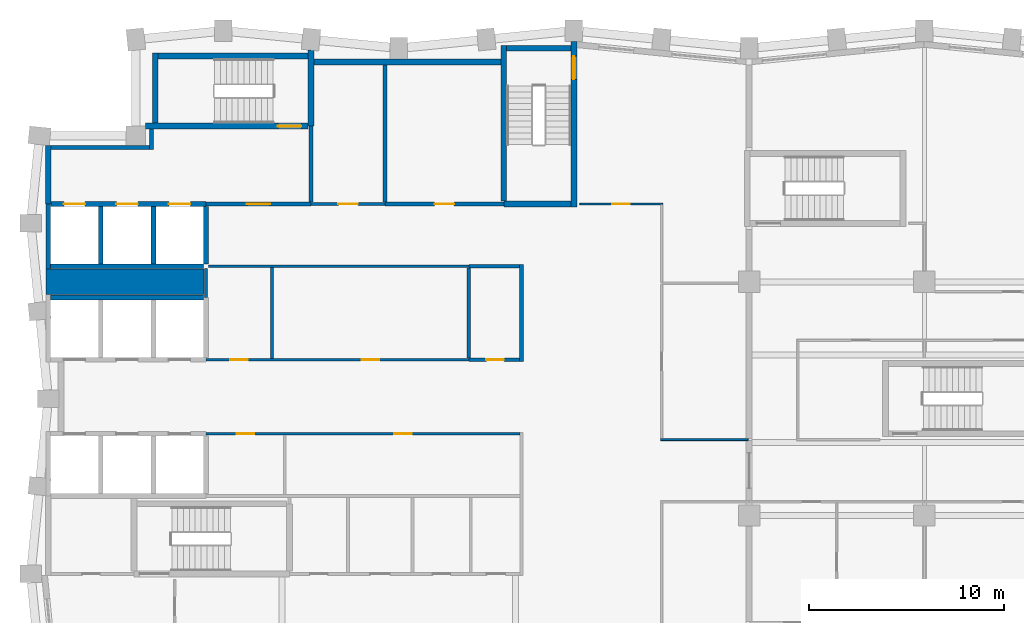
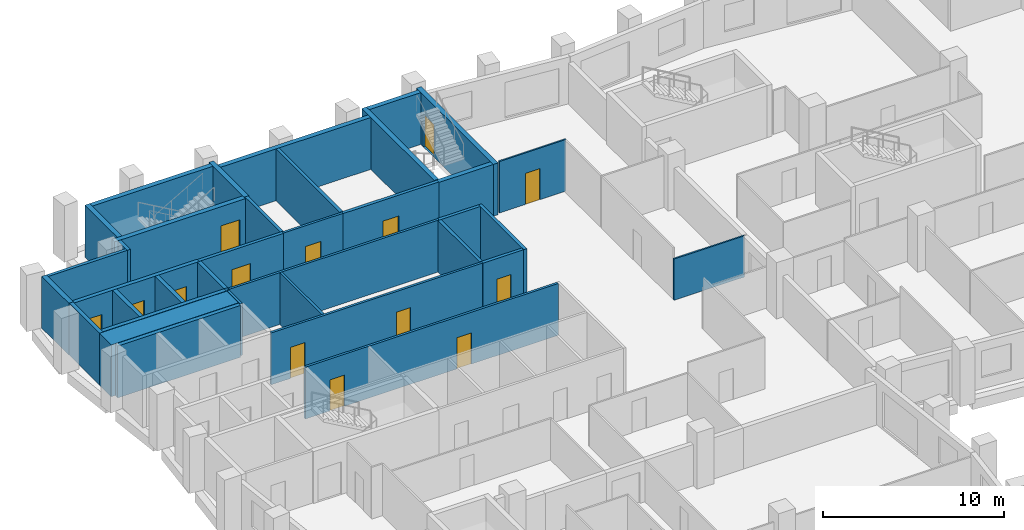
# One storey, part 6 of 10: 36 walls, 14 doors, 14 openings.
"""IFC4 building model written with IfcOpenShell, lengths in metres."""

from ifc_helpers import new_model, si_unit, direction, frame, frame_2d, origin, place, context, subcontext, project, spatial, rectangle, extrude, material, layer, layer_set, type_object, element, fill, save


model = new_model("IFC4")

# Units and contexts
model_context = context("Model", 3, precision=1e-05, world=origin(), true_north=direction((0.0, 1.0)))
body_context = subcontext(model_context, "Body", "Model", "MODEL_VIEW")
ifc_project = project(units=[si_unit("LENGTHUNIT", "METRE"), si_unit("AREAUNIT", "SQUARE_METRE"), si_unit("VOLUMEUNIT", "CUBIC_METRE"), si_unit("PLANEANGLEUNIT", "RADIAN"), si_unit("MASSUNIT", "GRAM", prefix="KILO")], contexts=[model_context])

# Site, building, storey
site_placement = place(None, origin())
site = spatial("IfcSite", under=ifc_project, at=site_placement, CompositionType="ELEMENT")
building_placement = place(site_placement, origin())
building = spatial("IfcBuilding", under=site, at=building_placement, Name="Brondeck Convention Tower", CompositionType="ELEMENT")
storey_placement = place(building_placement, frame((0.0, 0.0, 166.199951171875)))
storey = spatial("IfcBuildingStorey", under=building, at=storey_placement, Name="L40", CompositionType="ELEMENT", Elevation=166.199951171875)

# Walls
ifc_material_1 = material(Name="Concrete C70/85", Category="concrete")
ifc_layer_1 = layer(ifc_material_1, 0.199951171875)
ifc_layer_set_1 = layer_set([ifc_layer_1], Name="Core beam-seat wall 200 Concrete C70/85")
wall_type_1 = type_object("IfcWallType", Name="Core beam-seat wall 200 Concrete C70/85", PredefinedType="SHEAR", material=ifc_layer_set_1)
wall_1_placement = place(storey_placement, frame((24.300048828125, 46.89990234375, 0.0), z_axis=(0.0, 0.0, 1.0), x_axis=(0.0, 1.0, 0.0)))
element("IfcWall", 1, at=wall_1_placement, inside=storey, type_object=wall_type_1, Name="L40 core wall", PredefinedType="SHEAR", context=body_context, shape_type="SweptSolid", body=[
    extrude(rectangle(XDim=5.0, YDim=0.199951171875, at=frame_2d((2.5, 0.0))), origin(), (0.0, 0.0, 1.0), 3.5),
])
ifc_layer_2 = layer(ifc_material_1, 0.300048828125)
ifc_layer_set_2 = layer_set([ifc_layer_2], Name="Core outer wall 300 Concrete C70/85")
wall_type_2 = type_object("IfcWallType", Name="Core outer wall 300 Concrete C70/85", PredefinedType="SHEAR", material=ifc_layer_set_2)
wall_2_placement = place(storey_placement, frame((13.64990234375, 62.300048828125, 0.0), z_axis=(0.0, 0.0, 1.0), x_axis=(1.0, 0.0, 0.0)))
element("IfcWall", 2, at=wall_2_placement, inside=storey, type_object=wall_type_2, Name="L40 core wall", PredefinedType="SHEAR", context=body_context, shape_type="SweptSolid", body=[
    extrude(rectangle(XDim=9.60009765625, YDim=0.300048828125, at=frame_2d((4.800048828125, 0.0))), origin(), (0.0, 0.0, 1.0), 3.5),
])
wall_3_placement = place(storey_placement, frame((0.0, 55.0, 0.0), z_axis=(0.0, 0.0, 1.0), x_axis=(0.0, 1.0, 0.0)))
element("IfcWall", 3, at=wall_3_placement, inside=storey, type_object=wall_type_2, Name="L40 core wall", PredefinedType="SHEAR", context=body_context, shape_type="SweptSolid", body=[
    extrude(rectangle(XDim=3.0, YDim=0.300048828125, at=frame_2d((1.5, 0.0))), origin(), (0.0, 0.0, 1.0), 3.5),
])

# Wall, openings, doors
ifc_material_2 = material(Name="Fire-rated gypsum board partition")
ifc_layer_3 = layer(ifc_material_2, 0.14990234375)
ifc_layer_set_3 = layer_set([ifc_layer_3], Name="Core partition 150 EI 60")
wall_type_3 = type_object("IfcWallType", Name="Core partition 150 EI 60", PredefinedType="PARTITIONING", material=ifc_layer_set_3)
wall_4_placement = place(storey_placement, frame((8.10009765625, 43.199951171875, 0.0), z_axis=(0.0, 0.0, 1.0), x_axis=(1.0, 0.0, 0.0)))
wall_4 = element("IfcWall", 4, at=wall_4_placement, inside=storey, type_object=wall_type_3, Name="L40 core wall", PredefinedType="PARTITIONING", context=body_context, shape_type="SweptSolid", body=[
    extrude(rectangle(XDim=16.125, YDim=0.14990234375, at=frame_2d((8.0625, 0.0))), origin(), (0.0, 0.0, 1.0), 3.5),
])
opening_1_placement = place(wall_4_placement, frame((1.574951171875, 0.0, 0.0)))
opening_1 = element("IfcOpeningElement", 5, at=opening_1_placement, cuts=wall_4, Name="Opening C23-10", PredefinedType="OPENING", context=body_context, shape_type="SweptSolid", body=[
    extrude(rectangle(XDim=0.89990234375, YDim=2.10009765625, at=frame_2d((0.449951171875, 1.050048828125))), frame((0.0, 0.0849609375, 0.0), z_axis=(0.0, -1.0, 0.0), x_axis=(1.0, 0.0, 0.0)), (0.0, 0.0, 1.0), 0.169921875),
])
opening_2_placement = place(wall_4_placement, frame((9.675048828125, 0.0, 0.0)))
opening_2 = element("IfcOpeningElement", 6, at=opening_2_placement, cuts=wall_4, Name="Opening C23-11", PredefinedType="OPENING", context=body_context, shape_type="SweptSolid", body=[
    extrude(rectangle(XDim=0.89990234375, YDim=2.10009765625, at=frame_2d((0.449951171875, 1.050048828125))), frame((0.0, 0.0849609375, 0.0), z_axis=(0.0, -1.0, 0.0), x_axis=(1.0, 0.0, 0.0)), (0.0, 0.0, 1.0), 0.169921875),
])
ifc_material_3 = material(Name="Steel fire door", Category="steel")
door_type_1 = type_object("IfcDoorType", Name="Room door 900x2100 EI 60", OperationType="NOTDEFINED", PredefinedType="DOOR", material=ifc_material_3)
door_1_placement = place(opening_1_placement, origin())
door_1 = element("IfcDoor", 7, at=door_1_placement, inside=storey, type_object=door_type_1, Name="L40 Room door FZ-S-8.1-1", OperationType="SINGLE_SWING_RIGHT", OverallHeight=2.10009765625, OverallWidth=0.89990234375, PredefinedType="DOOR", context=body_context, shape_type="SweptSolid", body=[
    extrude(rectangle(XDim=0.89990234375, YDim=2.10009765625, at=frame_2d((0.449951171875, 1.050048828125))), frame((0.0, 0.02490234375, 0.0), z_axis=(0.0, -1.0, 0.0), x_axis=(1.0, 0.0, 0.0)), (0.0, 0.0, 1.0), 0.050048828125),
])
fill(opening_1, door_1)
door_2_placement = place(opening_2_placement, origin())
door_2 = element("IfcDoor", 8, at=door_2_placement, inside=storey, type_object=door_type_1, Name="L40 Room door FZ-S-8.1-2", OperationType="SINGLE_SWING_LEFT", OverallHeight=2.10009765625, OverallWidth=0.89990234375, PredefinedType="DOOR", context=body_context, shape_type="SweptSolid", body=[
    extrude(rectangle(XDim=0.89990234375, YDim=2.10009765625, at=frame_2d((0.449951171875, 1.050048828125))), frame((0.0, 0.02490234375, 0.0), z_axis=(0.0, -1.0, 0.0), x_axis=(1.0, 0.0, 0.0)), (0.0, 0.0, 1.0), 0.050048828125),
])
fill(opening_2, door_2)

wall_5_placement = place(storey_placement, frame((8.10009765625, 47.0, 0.0), z_axis=(0.0, 0.0, 1.0), x_axis=(1.0, 0.0, 0.0)))
wall_5 = element("IfcWall", 9, at=wall_5_placement, inside=storey, type_object=wall_type_3, Name="L40 core wall", PredefinedType="PARTITIONING", context=body_context, shape_type="SweptSolid", body=[
    extrude(rectangle(XDim=13.5, YDim=0.14990234375, at=frame_2d((6.75, 0.0))), origin(), (0.0, 0.0, 1.0), 3.5),
])
opening_3_placement = place(wall_5_placement, frame((1.25, 0.0, 0.0)))
opening_3 = element("IfcOpeningElement", 10, at=opening_3_placement, cuts=wall_5, Name="Opening C23-08", PredefinedType="OPENING", context=body_context, shape_type="SweptSolid", body=[
    extrude(rectangle(XDim=0.89990234375, YDim=2.10009765625, at=frame_2d((0.449951171875, 1.050048828125))), frame((0.0, 0.0849609375, 0.0), z_axis=(0.0, -1.0, 0.0), x_axis=(1.0, 0.0, 0.0)), (0.0, 0.0, 1.0), 0.169921875),
])
opening_4_placement = place(wall_5_placement, frame((8.0, 0.0, 0.0)))
opening_4 = element("IfcOpeningElement", 11, at=opening_4_placement, cuts=wall_5, Name="Opening C23-09", PredefinedType="OPENING", context=body_context, shape_type="SweptSolid", body=[
    extrude(rectangle(XDim=0.89990234375, YDim=2.10009765625, at=frame_2d((0.449951171875, 1.050048828125))), frame((0.0, 0.0849609375, 0.0), z_axis=(0.0, -1.0, 0.0), x_axis=(1.0, 0.0, 0.0)), (0.0, 0.0, 1.0), 0.169921875),
])
door_3_placement = place(opening_3_placement, origin())
door_3 = element("IfcDoor", 12, at=door_3_placement, inside=storey, type_object=door_type_1, Name="L40 Room door FZ-N-8.1-1", OperationType="SINGLE_SWING_LEFT", OverallHeight=2.10009765625, OverallWidth=0.89990234375, PredefinedType="DOOR", context=body_context, shape_type="SweptSolid", body=[
    extrude(rectangle(XDim=0.89990234375, YDim=2.10009765625, at=frame_2d((0.449951171875, 1.050048828125))), frame((0.0, 0.02490234375, 0.0), z_axis=(0.0, -1.0, 0.0), x_axis=(1.0, 0.0, 0.0)), (0.0, 0.0, 1.0), 0.050048828125),
])
fill(opening_3, door_3)
door_4_placement = place(opening_4_placement, origin())
door_4 = element("IfcDoor", 13, at=door_4_placement, inside=storey, type_object=door_type_1, Name="L40 Room door FZ-N-8.1-2", OperationType="SINGLE_SWING_RIGHT", OverallHeight=2.10009765625, OverallWidth=0.89990234375, PredefinedType="DOOR", context=body_context, shape_type="SweptSolid", body=[
    extrude(rectangle(XDim=0.89990234375, YDim=2.10009765625, at=frame_2d((0.449951171875, 1.050048828125))), frame((0.0, 0.02490234375, 0.0), z_axis=(0.0, -1.0, 0.0), x_axis=(1.0, 0.0, 0.0)), (0.0, 0.0, 1.0), 0.050048828125),
])
fill(opening_4, door_4)

# Wall
wall_6_placement = place(storey_placement, frame((8.22509765625, 51.800048828125, 0.0), z_axis=(0.0, 0.0, 1.0), x_axis=(1.0, 0.0, 0.0)))
element("IfcWall", 14, at=wall_6_placement, inside=storey, type_object=wall_type_3, Name="L40 core wall", PredefinedType="PARTITIONING", context=body_context, shape_type="SweptSolid", body=[
    extrude(rectangle(XDim=13.375, YDim=0.14990234375, at=frame_2d((6.6875, 0.0))), origin(), (0.0, 0.0, 1.0), 3.5),
])

# Wall, opening, door
wall_7_placement = place(storey_placement, frame((13.5, 55.0, 0.0), z_axis=(0.0, 0.0, 1.0), x_axis=(1.0, 0.0, 0.0)))
wall_7 = element("IfcWall", 15, at=wall_7_placement, inside=storey, type_object=wall_type_3, Name="L40 core wall", PredefinedType="PARTITIONING", context=body_context, shape_type="SweptSolid", body=[
    extrude(rectangle(XDim=3.800048828125, YDim=0.14990234375, at=frame_2d((1.89990234375, 0.0))), origin(), (0.0, 0.0, 1.0), 3.5),
])
opening_5_placement = place(wall_7_placement, frame((1.39990234375, 0.0, 0.0)))
opening_5 = element("IfcOpeningElement", 16, at=opening_5_placement, cuts=wall_7, Name="Opening C23-12", PredefinedType="OPENING", context=body_context, shape_type="SweptSolid", body=[
    extrude(rectangle(XDim=1.0, YDim=2.10009765625, at=frame_2d((0.5, 1.050048828125))), frame((0.0, 0.0849609375, 0.0), z_axis=(0.0, -1.0, 0.0), x_axis=(1.0, 0.0, 0.0)), (0.0, 0.0, 1.0), 0.169921875),
])
door_type_2 = type_object("IfcDoorType", Name="Room door 1000x2100 EI 60", OperationType="NOTDEFINED", PredefinedType="DOOR", material=ifc_material_3)
door_5_placement = place(opening_5_placement, origin())
door_5 = element("IfcDoor", 17, at=door_5_placement, inside=storey, type_object=door_type_2, Name="L40 Room door NE-1", OperationType="SINGLE_SWING_LEFT", OverallHeight=2.10009765625, OverallWidth=1.0, PredefinedType="DOOR", context=body_context, shape_type="SweptSolid", body=[
    extrude(rectangle(XDim=1.0, YDim=2.10009765625, at=frame_2d((0.5, 1.050048828125))), frame((0.0, 0.02490234375, 0.0), z_axis=(0.0, -1.0, 0.0), x_axis=(1.0, 0.0, 0.0)), (0.0, 0.0, 1.0), 0.050048828125),
])
fill(opening_5, door_5)

# Walls
wall_8_placement = place(storey_placement, frame((8.10009765625, 50.199951171875, 0.0), z_axis=(0.0, 0.0, 1.0), x_axis=(0.0, 1.0, 0.0)))
element("IfcWall", 18, at=wall_8_placement, inside=storey, type_object=wall_type_3, Name="L40 core wall", PredefinedType="PARTITIONING", context=body_context, shape_type="SweptSolid", body=[
    extrude(rectangle(XDim=1.47509765625, YDim=0.14990234375, at=frame_2d((0.737548828125, 0.0))), origin(), (0.0, 0.0, 1.0), 3.5),
])
wall_9_placement = place(storey_placement, frame((11.5, 47.074951171875, 0.0), z_axis=(0.0, 0.0, 1.0), x_axis=(0.0, 1.0, 0.0)))
element("IfcWall", 19, at=wall_9_placement, inside=storey, type_object=wall_type_3, Name="L40 core wall", PredefinedType="PARTITIONING", context=body_context, shape_type="SweptSolid", body=[
    extrude(rectangle(XDim=4.650146484375, YDim=0.14990234375, at=frame_2d((2.3251953125, 0.0))), origin(), (0.0, 0.0, 1.0), 3.5),
])
ifc_layer_4 = layer(ifc_material_1, 1.300048828125)
ifc_layer_set_4 = layer_set([ifc_layer_4], Name="Core shear wall 1300 Concrete C70/85")
wall_type_4 = type_object("IfcWallType", Name="Core shear wall 1300 Concrete C70/85", PredefinedType="SHEAR", material=ifc_layer_set_4)
wall_10_placement = place(storey_placement, frame((-0.125, 51.0, 0.0), z_axis=(0.0, 0.0, 1.0), x_axis=(1.0, 0.0, 0.0)))
element("IfcWall", 20, at=wall_10_placement, inside=storey, type_object=wall_type_4, Name="L40 core wall", PredefinedType="SHEAR", context=body_context, shape_type="SweptSolid", body=[
    extrude(rectangle(XDim=8.125, YDim=1.300048828125, at=frame_2d((4.0625, 0.0))), origin(), (0.0, 0.0, 1.0), 3.5),
])

# Wall, opening, door
ifc_layer_5 = layer(ifc_material_2, 0.199951171875)
ifc_layer_set_5 = layer_set([ifc_layer_5], Name="Firefighting lobby wall 200 EI 120")
wall_type_5 = type_object("IfcWallType", Name="Firefighting lobby wall 200 EI 120", PredefinedType="PARTITIONING", material=ifc_layer_set_5)
wall_11_placement = place(storey_placement, frame((8.10009765625, 55.0, 0.0), z_axis=(0.0, 0.0, 1.0), x_axis=(1.0, 0.0, 0.0)))
wall_11 = element("IfcWall", 21, at=wall_11_placement, inside=storey, type_object=wall_type_5, Name="L40 core wall", PredefinedType="PARTITIONING", context=body_context, shape_type="SweptSolid", body=[
    extrude(rectangle(XDim=5.39990234375, YDim=0.199951171875, at=frame_2d((2.699951171875, 0.0))), origin(), (0.0, 0.0, 1.0), 3.5),
])
opening_6_placement = place(wall_11_placement, frame((2.10009765625, 0.0, 0.0)))
opening_6 = element("IfcOpeningElement", 22, at=opening_6_placement, cuts=wall_11, Name="Opening C23-01", PredefinedType="OPENING", context=body_context, shape_type="SweptSolid", body=[
    extrude(rectangle(XDim=1.199951171875, YDim=2.199951171875, at=frame_2d((0.60009765625, 1.10009765625))), frame((0.0, 0.10986328125, 0.0), z_axis=(0.0, -1.0, 0.0), x_axis=(1.0, 0.0, 0.0)), (0.0, 0.0, 1.0), 0.219970703125),
])
door_type_3 = type_object("IfcDoorType", Name="Firefighting lobby door 1200x2200 EI 120", OperationType="NOTDEFINED", PredefinedType="DOOR", material=ifc_material_3)
door_6_placement = place(opening_6_placement, origin())
door_6 = element("IfcDoor", 23, at=door_6_placement, inside=storey, type_object=door_type_3, Name="L40 Firefighting lobby door FFL-1", OperationType="SINGLE_SWING_RIGHT", OverallHeight=2.199951171875, OverallWidth=1.199951171875, PredefinedType="DOOR", context=body_context, shape_type="SweptSolid", body=[
    extrude(rectangle(XDim=1.199951171875, YDim=2.199951171875, at=frame_2d((0.60009765625, 1.10009765625))), frame((0.0, 0.02490234375, 0.0), z_axis=(0.0, -1.0, 0.0), x_axis=(1.0, 0.0, 0.0)), (0.0, 0.0, 1.0), 0.050048828125),
])
fill(opening_6, door_6)

# Walls
wall_12_placement = place(storey_placement, frame((0.14990234375, 57.89990234375, 0.0), z_axis=(0.0, 0.0, 1.0), x_axis=(1.0, 0.0, 0.0)))
element("IfcWall", 24, at=wall_12_placement, inside=storey, type_object=wall_type_5, Name="L40 core wall", PredefinedType="PARTITIONING", context=body_context, shape_type="SweptSolid", body=[
    extrude(rectangle(XDim=5.050048828125, YDim=0.199951171875, at=frame_2d((2.52490234375, 0.0))), origin(), (0.0, 0.0, 1.0), 3.5),
])
wall_13_placement = place(storey_placement, frame((5.300048828125, 57.800048828125, 0.0), z_axis=(0.0, 0.0, 1.0), x_axis=(0.0, 1.0, 0.0)))
element("IfcWall", 25, at=wall_13_placement, inside=storey, type_object=wall_type_5, Name="L40 core wall", PredefinedType="PARTITIONING", context=body_context, shape_type="SweptSolid", body=[
    extrude(rectangle(XDim=1.050048828125, YDim=0.199951171875, at=frame_2d((0.52490234375, 0.0))), origin(), (0.0, 0.0, 1.0), 3.5),
])
wall_14_placement = place(storey_placement, frame((13.5, 55.10009765625, 0.0), z_axis=(0.0, 0.0, 1.0), x_axis=(0.0, 1.0, 0.0)))
element("IfcWall", 26, at=wall_14_placement, inside=storey, type_object=wall_type_5, Name="L40 core wall", PredefinedType="PARTITIONING", context=body_context, shape_type="SweptSolid", body=[
    extrude(rectangle(XDim=3.89990234375, YDim=0.199951171875, at=frame_2d((1.949951171875, 0.0))), origin(), (0.0, 0.0, 1.0), 3.5),
])
ifc_layer_6 = layer(ifc_material_1, 0.25)
ifc_layer_set_6 = layer_set([ifc_layer_6], Name="Lift shaft wall 250 Concrete C70/85")
wall_type_6 = type_object("IfcWallType", Name="Lift shaft wall 250 Concrete C70/85", PredefinedType="SHEAR", material=ifc_layer_set_6)
for number, where, z_axis, x_axis, name in (
    (27, (0.125, 50.199951171875, 0.0), (0.0, 0.0, 1.0), (1.0, 0.0, 0.0), "L40 core wall"),
    (28, (0.125, 51.800048828125, 0.0), (0.0, 0.0, 1.0), (1.0, 0.0, 0.0), "L40 core wall"),
):
    element("IfcWall", number, at=place(storey_placement, frame(where, z_axis=z_axis, x_axis=x_axis)), inside=storey, type_object=wall_type_6, Name=name, PredefinedType="SHEAR", context=body_context, shape_type="SweptSolid", body=[
        extrude(rectangle(XDim=7.85009765625, YDim=0.25, at=frame_2d((3.925048828125, 0.0))), origin(), (0.0, 0.0, 1.0), 3.5),
    ])

# Wall, openings, doors
wall_15_placement = place(storey_placement, frame((0.14990234375, 55.0, 0.0), z_axis=(0.0, 0.0, 1.0), x_axis=(1.0, 0.0, 0.0)))
wall_15 = element("IfcWall", 29, at=wall_15_placement, inside=storey, type_object=wall_type_6, Name="L40 core wall", PredefinedType="SHEAR", context=body_context, shape_type="SweptSolid", body=[
    extrude(rectangle(XDim=7.9501953125, YDim=0.25, at=frame_2d((3.97509765625, 0.0))), origin(), (0.0, 0.0, 1.0), 3.5),
])
opening_7_placement = place(wall_15_placement, frame((0.64990234375, 0.0, 0.0)))
opening_7 = element("IfcOpeningElement", 30, at=opening_7_placement, cuts=wall_15, Name="Opening C23-21", PredefinedType="OPENING", context=body_context, shape_type="SweptSolid", body=[
    extrude(rectangle(XDim=1.10009765625, YDim=2.10009765625, at=frame_2d((0.550048828125, 1.050048828125))), frame((0.0, 0.135009765625, 0.0), z_axis=(0.0, -1.0, 0.0), x_axis=(1.0, 0.0, 0.0)), (0.0, 0.0, 1.0), 0.27001953125),
])
opening_8_placement = place(wall_15_placement, frame((3.35009765625, 0.0, 0.0)))
opening_8 = element("IfcOpeningElement", 31, at=opening_8_placement, cuts=wall_15, Name="Opening C23-22", PredefinedType="OPENING", context=body_context, shape_type="SweptSolid", body=[
    extrude(rectangle(XDim=1.10009765625, YDim=2.10009765625, at=frame_2d((0.550048828125, 1.050048828125))), frame((0.0, 0.135009765625, 0.0), z_axis=(0.0, -1.0, 0.0), x_axis=(1.0, 0.0, 0.0)), (0.0, 0.0, 1.0), 0.27001953125),
])
opening_9_placement = place(wall_15_placement, frame((6.050048828125, 0.0, 0.0)))
opening_9 = element("IfcOpeningElement", 32, at=opening_9_placement, cuts=wall_15, Name="Opening C23-23", PredefinedType="OPENING", context=body_context, shape_type="SweptSolid", body=[
    extrude(rectangle(XDim=1.10009765625, YDim=2.10009765625, at=frame_2d((0.550048828125, 1.050048828125))), frame((0.0, 0.135009765625, 0.0), z_axis=(0.0, -1.0, 0.0), x_axis=(1.0, 0.0, 0.0)), (0.0, 0.0, 1.0), 0.27001953125),
])
ifc_material_4 = material(Name="Stainless steel lift door", Category="steel")
door_type_4 = type_object("IfcDoorType", Name="Lift landing door 1100x2100 EI 180", OperationType="DOUBLE_DOOR_SLIDING", PredefinedType="DOOR", material=ifc_material_4)
door_7_placement = place(opening_7_placement, origin())
door_7 = element("IfcDoor", 33, at=door_7_placement, inside=storey, type_object=door_type_4, Name="L40 Lift landing door FF1", OperationType="DOUBLE_DOOR_SLIDING", OverallHeight=2.10009765625, OverallWidth=1.10009765625, PredefinedType="DOOR", context=body_context, shape_type="SweptSolid", body=[
    extrude(rectangle(XDim=1.10009765625, YDim=2.10009765625, at=frame_2d((0.550048828125, 1.050048828125))), frame((0.0, 0.02490234375, 0.0), z_axis=(0.0, -1.0, 0.0), x_axis=(1.0, 0.0, 0.0)), (0.0, 0.0, 1.0), 0.050048828125),
])
fill(opening_7, door_7)
door_8_placement = place(opening_8_placement, origin())
door_8 = element("IfcDoor", 34, at=door_8_placement, inside=storey, type_object=door_type_4, Name="L40 Lift landing door FF2", OperationType="DOUBLE_DOOR_SLIDING", OverallHeight=2.10009765625, OverallWidth=1.10009765625, PredefinedType="DOOR", context=body_context, shape_type="SweptSolid", body=[
    extrude(rectangle(XDim=1.10009765625, YDim=2.10009765625, at=frame_2d((0.550048828125, 1.050048828125))), frame((0.0, 0.02490234375, 0.0), z_axis=(0.0, -1.0, 0.0), x_axis=(1.0, 0.0, 0.0)), (0.0, 0.0, 1.0), 0.050048828125),
])
fill(opening_8, door_8)
door_9_placement = place(opening_9_placement, origin())
door_9 = element("IfcDoor", 35, at=door_9_placement, inside=storey, type_object=door_type_4, Name="L40 Lift landing door FF3", OperationType="DOUBLE_DOOR_SLIDING", OverallHeight=2.10009765625, OverallWidth=1.10009765625, PredefinedType="DOOR", context=body_context, shape_type="SweptSolid", body=[
    extrude(rectangle(XDim=1.10009765625, YDim=2.10009765625, at=frame_2d((0.550048828125, 1.050048828125))), frame((0.0, 0.02490234375, 0.0), z_axis=(0.0, -1.0, 0.0), x_axis=(1.0, 0.0, 0.0)), (0.0, 0.0, 1.0), 0.050048828125),
])
fill(opening_9, door_9)

# Walls
wall_16_placement = place(storey_placement, frame((0.0, 51.64990234375, 0.0), z_axis=(0.0, 0.0, 1.0), x_axis=(0.0, 1.0, 0.0)))
element("IfcWall", 36, at=wall_16_placement, inside=storey, type_object=wall_type_6, Name="L40 core wall", PredefinedType="SHEAR", context=body_context, shape_type="SweptSolid", body=[
    extrude(rectangle(XDim=3.35009765625, YDim=0.25, at=frame_2d((1.675048828125, 0.0))), origin(), (0.0, 0.0, 1.0), 3.5),
])
for number, where, z_axis, x_axis, name in (
    (37, (2.699951171875, 51.925048828125, 0.0), (0.0, 0.0, 1.0), (0.0, 1.0, 0.0), "L40 core wall"),
    (38, (5.39990234375, 51.925048828125, 0.0), (0.0, 0.0, 1.0), (0.0, 1.0, 0.0), "L40 core wall"),
    (39, (8.10009765625, 51.925048828125, 0.0), (0.0, 0.0, 1.0), (0.0, 1.0, 0.0), "L40 core wall"),
):
    element("IfcWall", number, at=place(storey_placement, frame(where, z_axis=z_axis, x_axis=x_axis)), inside=storey, type_object=wall_type_6, Name=name, PredefinedType="SHEAR", context=body_context, shape_type="SweptSolid", body=[
        extrude(rectangle(XDim=2.949951171875, YDim=0.25, at=frame_2d((1.47509765625, 0.0))), origin(), (0.0, 0.0, 1.0), 3.5),
    ])

# Wall, opening, door
ifc_layer_7 = layer(ifc_material_2, 0.199951171875)
ifc_layer_set_7 = layer_set([ifc_layer_7], Name="Riser wall 200 EI 120")
wall_type_7 = type_object("IfcWallType", Name="Riser wall 200 EI 120", PredefinedType="PARTITIONING", material=ifc_layer_set_7)
wall_17_placement = place(storey_placement, frame((21.60009765625, 47.0, 0.0), z_axis=(0.0, 0.0, 1.0), x_axis=(1.0, 0.0, 0.0)))
wall_17 = element("IfcWall", 40, at=wall_17_placement, inside=storey, type_object=wall_type_7, Name="L40 core wall", PredefinedType="PARTITIONING", context=body_context, shape_type="SweptSolid", body=[
    extrude(rectangle(XDim=2.599853515625, YDim=0.199951171875, at=frame_2d((1.2998046875, 0.0))), origin(), (0.0, 0.0, 1.0), 3.5),
])
opening_10_placement = place(wall_17_placement, frame((0.89990234375, 0.0, 0.0)))
opening_10 = element("IfcOpeningElement", 41, at=opening_10_placement, cuts=wall_17, Name="Opening C23-02", PredefinedType="OPENING", context=body_context, shape_type="SweptSolid", body=[
    extrude(rectangle(XDim=0.89990234375, YDim=2.10009765625, at=frame_2d((0.449951171875, 1.050048828125))), frame((0.0, 0.10986328125, 0.0), z_axis=(0.0, -1.0, 0.0), x_axis=(1.0, 0.0, 0.0)), (0.0, 0.0, 1.0), 0.219970703125),
])
door_type_5 = type_object("IfcDoorType", Name="Riser door 900x2100 EI 120", OperationType="NOTDEFINED", PredefinedType="DOOR", material=ifc_material_3)
door_10_placement = place(opening_10_placement, origin())
door_10 = element("IfcDoor", 42, at=door_10_placement, inside=storey, type_object=door_type_5, Name="L40 Riser door EN-1", OperationType="SINGLE_SWING_LEFT", OverallHeight=2.10009765625, OverallWidth=0.89990234375, PredefinedType="DOOR", context=body_context, shape_type="SweptSolid", body=[
    extrude(rectangle(XDim=0.89990234375, YDim=2.10009765625, at=frame_2d((0.449951171875, 1.050048828125))), frame((0.0, 0.02490234375, 0.0), z_axis=(0.0, -1.0, 0.0), x_axis=(1.0, 0.0, 0.0)), (0.0, 0.0, 1.0), 0.050048828125),
])
fill(opening_10, door_10)

# Wall
wall_18_placement = place(storey_placement, frame((21.60009765625, 51.800048828125, 0.0), z_axis=(0.0, 0.0, 1.0), x_axis=(1.0, 0.0, 0.0)))
element("IfcWall", 43, at=wall_18_placement, inside=storey, type_object=wall_type_7, Name="L40 core wall", PredefinedType="PARTITIONING", context=body_context, shape_type="SweptSolid", body=[
    extrude(rectangle(XDim=2.599853515625, YDim=0.199951171875, at=frame_2d((1.2998046875, 0.0))), origin(), (0.0, 0.0, 1.0), 3.5),
])

# Wall, opening, door
wall_19_placement = place(storey_placement, frame((17.300048828125, 55.0, 0.0), z_axis=(0.0, 0.0, 1.0), x_axis=(1.0, 0.0, 0.0)))
wall_19 = element("IfcWall", 44, at=wall_19_placement, inside=storey, type_object=wall_type_7, Name="L40 core wall", PredefinedType="PARTITIONING", context=body_context, shape_type="SweptSolid", body=[
    extrude(rectangle(XDim=6.099853515625, YDim=0.199951171875, at=frame_2d((3.0498046875, 0.0))), origin(), (0.0, 0.0, 1.0), 3.5),
])
opening_11_placement = place(wall_19_placement, frame((2.550048828125, 0.0, 0.0)))
opening_11 = element("IfcOpeningElement", 45, at=opening_11_placement, cuts=wall_19, Name="Opening C23-13", PredefinedType="OPENING", context=body_context, shape_type="SweptSolid", body=[
    extrude(rectangle(XDim=1.0, YDim=2.10009765625, at=frame_2d((0.5, 1.050048828125))), frame((0.0, 0.10986328125, 0.0), z_axis=(0.0, -1.0, 0.0), x_axis=(1.0, 0.0, 0.0)), (0.0, 0.0, 1.0), 0.219970703125),
])
door_type_6 = type_object("IfcDoorType", Name="Riser door 1000x2100 EI 120", OperationType="NOTDEFINED", PredefinedType="DOOR", material=ifc_material_3)
door_11_placement = place(opening_11_placement, origin())
door_11 = element("IfcDoor", 46, at=door_11_placement, inside=storey, type_object=door_type_6, Name="L40 Riser door NE-2", OperationType="SINGLE_SWING_RIGHT", OverallHeight=2.10009765625, OverallWidth=1.0, PredefinedType="DOOR", context=body_context, shape_type="SweptSolid", body=[
    extrude(rectangle(XDim=1.0, YDim=2.10009765625, at=frame_2d((0.5, 1.050048828125))), frame((0.0, 0.02490234375, 0.0), z_axis=(0.0, -1.0, 0.0), x_axis=(1.0, 0.0, 0.0)), (0.0, 0.0, 1.0), 0.050048828125),
])
fill(opening_11, door_11)

# Walls
wall_20_placement = place(storey_placement, frame((17.300048828125, 55.10009765625, 0.0), z_axis=(0.0, 0.0, 1.0), x_axis=(0.0, 1.0, 0.0)))
element("IfcWall", 47, at=wall_20_placement, inside=storey, type_object=wall_type_7, Name="L40 core wall", PredefinedType="PARTITIONING", context=body_context, shape_type="SweptSolid", body=[
    extrude(rectangle(XDim=7.0498046875, YDim=0.199951171875, at=frame_2d((3.52490234375, 0.0))), origin(), (0.0, 0.0, 1.0), 3.5),
])
wall_21_placement = place(storey_placement, frame((21.60009765625, 47.10009765625, 0.0), z_axis=(0.0, 0.0, 1.0), x_axis=(0.0, 1.0, 0.0)))
element("IfcWall", 48, at=wall_21_placement, inside=storey, type_object=wall_type_7, Name="L40 core wall", PredefinedType="PARTITIONING", context=body_context, shape_type="SweptSolid", body=[
    extrude(rectangle(XDim=4.599853515625, YDim=0.199951171875, at=frame_2d((2.2998046875, 0.0))), origin(), (0.0, 0.0, 1.0), 3.5),
])
ifc_material_5 = material(Name="Gypsum board partition on steel studs", Category="steel")
ifc_layer_8 = layer(ifc_material_5, 0.10009765625)
ifc_layer_set_8 = layer_set([ifc_layer_8], Name="Room partition 100")
wall_type_8 = type_object("IfcWallType", Name="Room partition 100", PredefinedType="PARTITIONING", material=ifc_layer_set_8)
wall_22_placement = place(storey_placement, frame((31.449951171875, 42.89990234375, 0.0), z_axis=(0.0, 0.0, 1.0), x_axis=(1.0, 0.0, 0.0)))
element("IfcWall", 49, at=wall_22_placement, inside=storey, type_object=wall_type_8, Name="FLR-L40-W054", PredefinedType="PARTITIONING", context=body_context, shape_type="SweptSolid", body=[
    extrude(rectangle(XDim=4.5, YDim=0.10009765625, at=frame_2d((2.25, 0.0))), origin(), (0.0, 0.0, 1.0), 2.780029296875),
])

# Wall, opening, door
wall_23_placement = place(storey_placement, frame((27.300048828125, 55.0, 0.0), z_axis=(0.0, 0.0, 1.0), x_axis=(1.0, 0.0, 0.0)))
wall_23 = element("IfcWall", 50, at=wall_23_placement, inside=storey, type_object=wall_type_8, Name="FLR-L40-W071", PredefinedType="PARTITIONING", context=body_context, shape_type="SweptSolid", body=[
    extrude(rectangle(XDim=4.25, YDim=0.10009765625, at=frame_2d((2.125, 0.0))), origin(), (0.0, 0.0, 1.0), 3.47998046875),
])
opening_12_placement = place(wall_23_placement, frame((1.675048828125, 0.0, 0.0)))
opening_12 = element("IfcOpeningElement", 51, at=opening_12_placement, cuts=wall_23, Name="Opening OF-H-020", PredefinedType="OPENING", context=body_context, shape_type="SweptSolid", body=[
    extrude(rectangle(XDim=0.89990234375, YDim=2.10009765625, at=frame_2d((0.449951171875, 1.050048828125))), frame((0.0, 0.06005859375, 0.0), z_axis=(0.0, -1.0, 0.0), x_axis=(1.0, 0.0, 0.0)), (0.0, 0.0, 1.0), 0.1201171875),
])
ifc_material_6 = material(Name="Solid timber door leaf", Category="wood")
door_type_7 = type_object("IfcDoorType", Name="Single door 900", OperationType="NOTDEFINED", PredefinedType="DOOR", material=ifc_material_6)
door_12_placement = place(opening_12_placement, origin())
door_12 = element("IfcDoor", 52, at=door_12_placement, inside=storey, type_object=door_type_7, Name="Door OF-H-020", OperationType="SINGLE_SWING_LEFT", OverallHeight=2.10009765625, OverallWidth=0.89990234375, PredefinedType="DOOR", context=body_context, shape_type="SweptSolid", body=[
    extrude(rectangle(XDim=0.89990234375, YDim=2.10009765625, at=frame_2d((0.449951171875, 1.050048828125))), frame((0.0, 0.02490234375, 0.0), z_axis=(0.0, -1.0, 0.0), x_axis=(1.0, 0.0, 0.0)), (0.0, 0.0, 1.0), 0.050048828125),
])
fill(opening_12, door_12)

# Wall
ifc_layer_9 = layer(ifc_material_1, 0.300048828125)
ifc_layer_set_9 = layer_set([ifc_layer_9], Name="Stair enclosure wall 300 Concrete C70/85")
wall_type_9 = type_object("IfcWallType", Name="Stair enclosure wall 300 Concrete C70/85", PredefinedType="SHEAR", material=ifc_layer_set_9)
wall_24_placement = place(storey_placement, frame((23.39990234375, 55.0, 0.0), z_axis=(0.0, 0.0, 1.0), x_axis=(1.0, 0.0, 0.0)))
element("IfcWall", 53, at=wall_24_placement, inside=storey, type_object=wall_type_9, Name="L40 core wall", PredefinedType="SHEAR", context=body_context, shape_type="SweptSolid", body=[
    extrude(rectangle(XDim=3.4501953125, YDim=0.300048828125, at=frame_2d((1.72509765625, 0.0))), origin(), (0.0, 0.0, 1.0), 3.5),
])

# Wall, opening, door
wall_25_placement = place(storey_placement, frame((5.0, 59.0, 0.0), z_axis=(0.0, 0.0, 1.0), x_axis=(1.0, 0.0, 0.0)))
wall_25 = element("IfcWall", 54, at=wall_25_placement, inside=storey, type_object=wall_type_9, Name="L40 core wall", PredefinedType="SHEAR", context=body_context, shape_type="SweptSolid", body=[
    extrude(rectangle(XDim=8.35009765625, YDim=0.300048828125, at=frame_2d((4.175048828125, 0.0))), origin(), (0.0, 0.0, 1.0), 3.5),
])
opening_13_placement = place(wall_25_placement, frame((6.800048828125, 0.0, 0.0)))
opening_13 = element("IfcOpeningElement", 55, at=opening_13_placement, cuts=wall_25, Name="Opening C23-16", PredefinedType="OPENING", context=body_context, shape_type="SweptSolid", body=[
    extrude(rectangle(XDim=1.199951171875, YDim=2.199951171875, at=frame_2d((0.60009765625, 1.10009765625))), frame((0.0, 0.159912109375, 0.0), z_axis=(0.0, -1.0, 0.0), x_axis=(1.0, 0.0, 0.0)), (0.0, 0.0, 1.0), 0.320068359375),
])
door_type_8 = type_object("IfcDoorType", Name="Stair door 1200x2200 EI 120", OperationType="NOTDEFINED", PredefinedType="DOOR", material=ifc_material_3)
door_13_placement = place(opening_13_placement, origin())
door_13 = element("IfcDoor", 56, at=door_13_placement, inside=storey, type_object=door_type_8, Name="L40 Stair door ST-3", OperationType="SINGLE_SWING_RIGHT", OverallHeight=2.199951171875, OverallWidth=1.199951171875, PredefinedType="DOOR", context=body_context, shape_type="SweptSolid", body=[
    extrude(rectangle(XDim=1.199951171875, YDim=2.199951171875, at=frame_2d((0.60009765625, 1.10009765625))), frame((0.0, 0.02490234375, 0.0), z_axis=(0.0, -1.0, 0.0), x_axis=(1.0, 0.0, 0.0)), (0.0, 0.0, 1.0), 0.050048828125),
])
fill(opening_13, door_13)

# Walls
wall_26_placement = place(storey_placement, frame((5.64990234375, 62.60009765625, 0.0), z_axis=(0.0, 0.0, 1.0), x_axis=(1.0, 0.0, 0.0)))
element("IfcWall", 57, at=wall_26_placement, inside=storey, type_object=wall_type_9, Name="L40 core wall", PredefinedType="SHEAR", context=body_context, shape_type="SweptSolid", body=[
    extrude(rectangle(XDim=7.7001953125, YDim=0.300048828125, at=frame_2d((3.85009765625, 0.0))), origin(), (0.0, 0.0, 1.0), 3.5),
])
wall_27_placement = place(storey_placement, frame((23.550048828125, 63.0, 0.0), z_axis=(0.0, 0.0, 1.0), x_axis=(1.0, 0.0, 0.0)))
element("IfcWall", 58, at=wall_27_placement, inside=storey, type_object=wall_type_9, Name="L40 core wall", PredefinedType="SHEAR", context=body_context, shape_type="SweptSolid", body=[
    extrude(rectangle(XDim=3.300048828125, YDim=0.300048828125, at=frame_2d((1.64990234375, 0.0))), origin(), (0.0, 0.0, 1.0), 3.5),
])
wall_28_placement = place(storey_placement, frame((5.5, 59.14990234375, 0.0), z_axis=(0.0, 0.0, 1.0), x_axis=(0.0, 1.0, 0.0)))
element("IfcWall", 59, at=wall_28_placement, inside=storey, type_object=wall_type_9, Name="L40 core wall", PredefinedType="SHEAR", context=body_context, shape_type="SweptSolid", body=[
    extrude(rectangle(XDim=3.60009765625, YDim=0.300048828125, at=frame_2d((1.800048828125, 0.0))), origin(), (0.0, 0.0, 1.0), 3.5),
])
wall_29_placement = place(storey_placement, frame((13.5, 59.0, 0.0), z_axis=(0.0, 0.0, 1.0), x_axis=(0.0, 1.0, 0.0)))
element("IfcWall", 60, at=wall_29_placement, inside=storey, type_object=wall_type_9, Name="L40 core wall", PredefinedType="SHEAR", context=body_context, shape_type="SweptSolid", body=[
    extrude(rectangle(XDim=3.897216796875, YDim=0.300048828125, at=frame_2d((1.94873046875, 0.0))), origin(), (0.0, 0.0, 1.0), 3.5),
])
wall_30_placement = place(storey_placement, frame((23.39990234375, 55.14990234375, 0.0), z_axis=(0.0, 0.0, 1.0), x_axis=(0.0, 1.0, 0.0)))
element("IfcWall", 61, at=wall_30_placement, inside=storey, type_object=wall_type_9, Name="L40 core wall", PredefinedType="SHEAR", context=body_context, shape_type="SweptSolid", body=[
    extrude(rectangle(XDim=8.0, YDim=0.300048828125, at=frame_2d((4.0, 0.0))), origin(), (0.0, 0.0, 1.0), 3.5),
])

# Wall, opening, door
wall_31_placement = place(storey_placement, frame((27.0, 54.85009765625, 0.0), z_axis=(0.0, 0.0, 1.0), x_axis=(0.0, 1.0, 0.0)))
wall_31 = element("IfcWall", 62, at=wall_31_placement, inside=storey, type_object=wall_type_9, Name="L40 core wall", PredefinedType="SHEAR", context=body_context, shape_type="SweptSolid", body=[
    extrude(rectangle(XDim=8.5, YDim=0.300048828125, at=frame_2d((4.25, 0.0))), origin(), (0.0, 0.0, 1.0), 3.5),
])
opening_14_placement = place(wall_31_placement, frame((6.550048828125, 0.0, 0.0)))
opening_14 = element("IfcOpeningElement", 63, at=opening_14_placement, cuts=wall_31, Name="Opening C23-15", PredefinedType="OPENING", context=body_context, shape_type="SweptSolid", body=[
    extrude(rectangle(XDim=1.199951171875, YDim=2.199951171875, at=frame_2d((0.60009765625, 1.10009765625))), frame((0.0, 0.159912109375, 0.0), z_axis=(0.0, -1.0, 0.0), x_axis=(1.0, 0.0, 0.0)), (0.0, 0.0, 1.0), 0.320068359375),
])
door_type_9 = type_object("IfcDoorType", Name="Stair door 1200x2200 EI 90", OperationType="NOTDEFINED", PredefinedType="DOOR", material=ifc_material_3)
door_14_placement = place(opening_14_placement, origin())
door_14 = element("IfcDoor", 64, at=door_14_placement, inside=storey, type_object=door_type_9, Name="L40 Stair door ST-2", OperationType="SINGLE_SWING_LEFT", OverallHeight=2.199951171875, OverallWidth=1.199951171875, PredefinedType="DOOR", context=body_context, shape_type="SweptSolid", body=[
    extrude(rectangle(XDim=1.199951171875, YDim=2.199951171875, at=frame_2d((0.60009765625, 1.10009765625))), frame((0.0, 0.02490234375, 0.0), z_axis=(0.0, -1.0, 0.0), x_axis=(1.0, 0.0, 0.0)), (0.0, 0.0, 1.0), 0.050048828125),
])
fill(opening_14, door_14)

save(model, "model.ifc")
